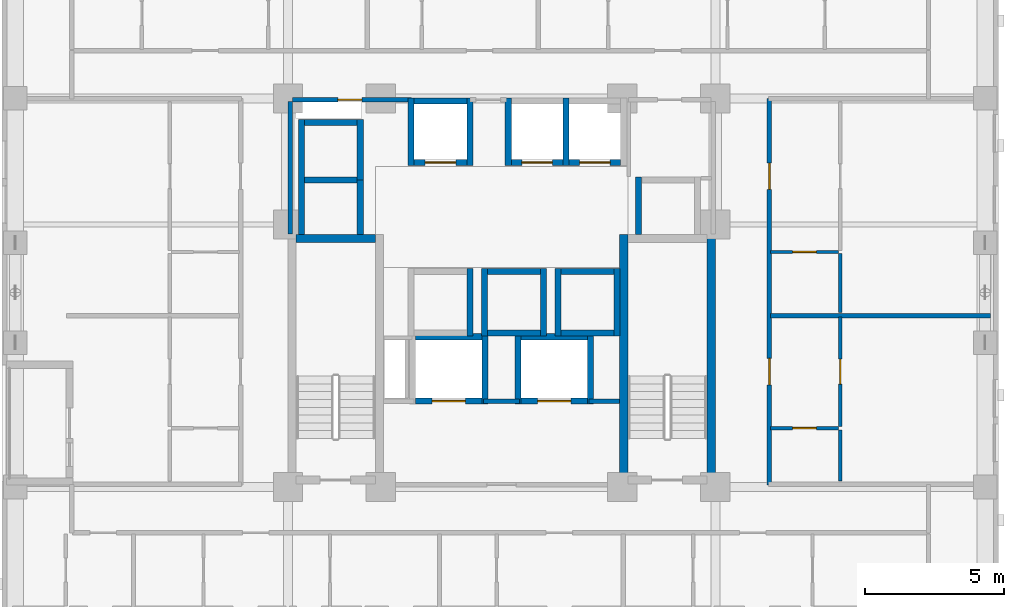
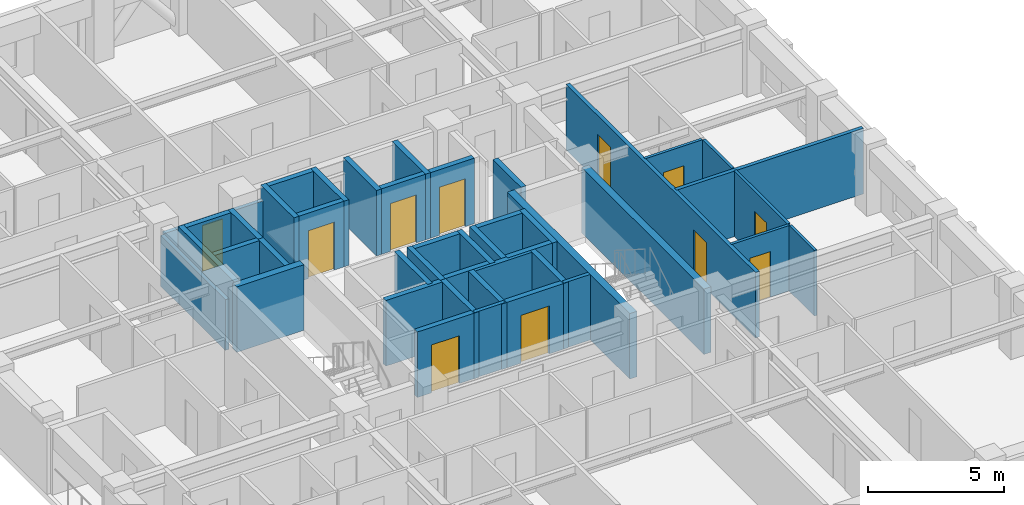
# One storey, part 5 of 12: 44 walls, 11 doors, 11 openings.
"""IFC4 building model written with IfcOpenShell, lengths in metres."""

from ifc_helpers import new_model, si_unit, derived_unit, direction, frame, frame_2d, origin, place, context, subcontext, project, spatial, rectangle, extrude, material, layer, layer_set, type_object, element, fill, save


model = new_model("IFC4")

# Units and contexts
model_context = context("Model", 3, precision=1e-05, world=origin(), true_north=direction((0.0, 1.0)))
body_context = subcontext(model_context, "Body", "Model", "MODEL_VIEW")
ifc_project = project(units=[si_unit("LENGTHUNIT", "METRE"), si_unit("AREAUNIT", "SQUARE_METRE"), si_unit("VOLUMEUNIT", "CUBIC_METRE"), si_unit("PLANEANGLEUNIT", "RADIAN"), si_unit("MASSUNIT", "GRAM", prefix="KILO"), derived_unit("THERMALTRANSMITTANCEUNIT", [(si_unit("MASSUNIT", "GRAM", prefix="KILO"), 1), (si_unit("TIMEUNIT", "SECOND"), -3), (si_unit("THERMODYNAMICTEMPERATUREUNIT", "KELVIN"), -1)])], contexts=[model_context])

# Site, building, storey
site_placement = place(None, origin())
site = spatial("IfcSite", under=ifc_project, at=site_placement, CompositionType="ELEMENT")
building_placement = place(site_placement, origin())
building = spatial("IfcBuilding", under=site, at=building_placement, Name="Korrvale Station Residences", CompositionType="ELEMENT")
storey_placement = place(building_placement, frame((0.0, 0.0, 87.89990234375)))
storey = spatial("IfcBuildingStorey", under=building, at=storey_placement, Name="L24", CompositionType="ELEMENT", Elevation=87.89990234375)

# Walls
ifc_material_1 = material(Name="Concrete C60/75", Category="concrete")
ifc_layer_1 = layer(ifc_material_1, 0.300048828125, Name="Concrete C60/75")
ifc_layer_set_1 = layer_set([ifc_layer_1], Name="Concrete C60/75")
wall_type_1 = type_object("IfcWallType", Name="WAL-CORE-300-C60", PredefinedType="SHEAR", material=ifc_layer_set_1)
wall_1_placement = place(storey_placement, frame((18.10009765625, 23.949951171875, 0.0), z_axis=(0.0, 0.0, 1.0), x_axis=(1.0, 0.0, 0.0)))
element("IfcWall", 1, at=wall_1_placement, inside=storey, type_object=wall_type_1, Name="L24 ST-1 Core Shear Wall North", PredefinedType="SHEAR", context=body_context, shape_type="SweptSolid", body=[
    extrude(rectangle(XDim=2.849853515625, YDim=0.300048828125, at=frame_2d((1.4248046875, 0.0))), origin(), (0.0, 0.0, 1.0), 2.940185546875),
])
for number, where, z_axis, x_axis, name in (
    (2, (29.89990234375, 15.10009765625, 0.0), (0.0, 0.0, 1.0), (0.0, 1.0, 0.0), "L24 ST-2 Core Shear Wall West"),
    (3, (33.050048828125, 15.10009765625, 0.0), (0.0, 0.0, 1.0), (0.0, 1.0, 0.0), "L24 ST-2 Core Shear Wall East"),
):
    element("IfcWall", number, at=place(storey_placement, frame(where, z_axis=z_axis, x_axis=x_axis)), inside=storey, type_object=wall_type_1, Name=name, PredefinedType="SHEAR", context=body_context, shape_type="SweptSolid", body=[
        extrude(rectangle(XDim=9.0, YDim=0.300048828125, at=frame_2d((4.5, 0.0))), origin(), (0.0, 0.0, 1.0), 2.940185546875),
    ])

# Wall, opening, door
ifc_material_2 = material(Name="Acoustic steel-stud gypsum board partition", Category="steel")
ifc_layer_2 = layer(ifc_material_2, 0.1201171875, Name="Acoustic steel-stud gypsum board partition")
ifc_layer_set_2 = layer_set([ifc_layer_2], Name="Acoustic steel-stud gypsum board partition")
wall_type_2 = type_object("IfcWallType", Name="WAL-PART-125", PredefinedType="PARTITIONING", material=ifc_layer_set_2)
wall_2_placement = place(storey_placement, frame((35.18994140625, 17.1201171875, 0.0), z_axis=(0.0, 0.0, 1.0), x_axis=(1.0, 0.0, 0.0)))
wall_2 = element("IfcWall", 4, at=wall_2_placement, inside=storey, type_object=wall_type_2, Name="L24 Suite Partition U10-H01", PredefinedType="PARTITIONING", context=body_context, shape_type="SweptSolid", body=[
    extrude(rectangle(XDim=2.449951171875, YDim=0.1201171875, at=frame_2d((1.22509765625, 0.0))), origin(), (0.0, 0.0, 1.0), 2.940185546875),
])
opening_1_placement = place(wall_2_placement, frame((0.794921875, 0.0, 0.0)))
opening_1 = element("IfcOpeningElement", 5, at=opening_1_placement, cuts=wall_2, Name="Opening DB-860", PredefinedType="OPENING", context=body_context, shape_type="SweptSolid", body=[
    extrude(rectangle(XDim=0.860107421875, YDim=2.050048828125, at=frame_2d((0.43017578125, 1.02490234375))), frame((0.0, 0.070068359375, 0.0), z_axis=(0.0, -1.0, 0.0), x_axis=(1.0, 0.0, 0.0)), (0.0, 0.0, 1.0), 0.14013671875),
])
ifc_material_3 = material(Name="Moisture-resistant solid-core bathroom door", Category="timber")
door_type_1 = type_object("IfcDoorType", Name="DR-BATH-860", OperationType="NOTDEFINED", PredefinedType="DOOR", material=ifc_material_3)
door_1_placement = place(opening_1_placement, origin())
door_1 = element("IfcDoor", 6, at=door_1_placement, inside=storey, type_object=door_type_1, Name="L24 Apartment 1BR L24-U10 Bathroom Door", OperationType="SINGLE_SWING_LEFT", OverallHeight=2.050048828125, OverallWidth=0.860107421875, PredefinedType="DOOR", context=body_context, shape_type="SweptSolid", body=[
    extrude(rectangle(XDim=0.860107421875, YDim=2.050048828125, at=frame_2d((0.43017578125, 1.02490234375))), frame((0.0, 0.02490234375, 0.0), z_axis=(0.0, -1.0, 0.0), x_axis=(1.0, 0.0, 0.0)), (0.0, 0.0, 1.0), 0.050048828125),
])
fill(opening_1, door_1)

# Wall
wall_3_placement = place(storey_placement, frame((37.699951171875, 15.2099609375, 0.0), z_axis=(0.0, 0.0, 1.0), x_axis=(0.0, 1.0, 0.0)))
element("IfcWall", 7, at=wall_3_placement, inside=storey, type_object=wall_type_2, Name="L24 Suite Partition U10-V02", PredefinedType="PARTITIONING", context=body_context, shape_type="SweptSolid", body=[
    extrude(rectangle(XDim=1.85009765625, YDim=0.1201171875, at=frame_2d((0.925048828125, 0.0))), origin(), (0.0, 0.0, 1.0), 2.940185546875),
])

# Wall, opening, door
wall_4_placement = place(storey_placement, frame((37.699951171875, 17.179931640625, 0.0), z_axis=(0.0, 0.0, 1.0), x_axis=(0.0, 1.0, 0.0)))
wall_4 = element("IfcWall", 8, at=wall_4_placement, inside=storey, type_object=wall_type_2, Name="L24 Suite Partition U10-V12", PredefinedType="PARTITIONING", context=body_context, shape_type="SweptSolid", body=[
    extrude(rectangle(XDim=3.946044921875, YDim=0.1201171875, at=frame_2d((1.97314453125, 0.0))), origin(), (0.0, 0.0, 1.0), 2.940185546875),
])
opening_2_placement = place(wall_4_placement, frame((1.52294921875, 0.0, 0.0)))
opening_2 = element("IfcOpeningElement", 9, at=opening_2_placement, cuts=wall_4, Name="Opening DI-900", PredefinedType="OPENING", context=body_context, shape_type="SweptSolid", body=[
    extrude(rectangle(XDim=0.89990234375, YDim=2.050048828125, at=frame_2d((0.449951171875, 1.02490234375))), frame((0.0, 0.070068359375, 0.0), z_axis=(0.0, -1.0, 0.0), x_axis=(1.0, 0.0, 0.0)), (0.0, 0.0, 1.0), 0.14013671875),
])
ifc_material_4 = material(Name="Painted solid-core timber interior room door", Category="wood")
door_type_2 = type_object("IfcDoorType", Name="DR-INT-900", OperationType="NOTDEFINED", PredefinedType="DOOR", material=ifc_material_4)
door_2_placement = place(opening_2_placement, origin())
door_2 = element("IfcDoor", 10, at=door_2_placement, inside=storey, type_object=door_type_2, Name="L24 Apartment 1BR L24-U10 Kitchen Door", OperationType="SINGLE_SWING_RIGHT", OverallHeight=2.050048828125, OverallWidth=0.89990234375, PredefinedType="DOOR", context=body_context, shape_type="SweptSolid", body=[
    extrude(rectangle(XDim=0.89990234375, YDim=2.050048828125, at=frame_2d((0.449951171875, 1.02490234375))), frame((0.0, 0.02490234375, 0.0), z_axis=(0.0, -1.0, 0.0), x_axis=(1.0, 0.0, 0.0)), (0.0, 0.0, 1.0), 0.050048828125),
])
fill(opening_2, door_2)

wall_5_placement = place(storey_placement, frame((35.18994140625, 23.467041015625, 0.0), z_axis=(0.0, 0.0, 1.0), x_axis=(1.0, 0.0, 0.0)))
wall_5 = element("IfcWall", 11, at=wall_5_placement, inside=storey, type_object=wall_type_2, Name="L24 Suite Partition U11-H01", PredefinedType="PARTITIONING", context=body_context, shape_type="SweptSolid", body=[
    extrude(rectangle(XDim=2.449951171875, YDim=0.1201171875, at=frame_2d((1.22509765625, 0.0))), origin(), (0.0, 0.0, 1.0), 2.940185546875),
])
opening_3_placement = place(wall_5_placement, frame((0.794921875, 0.0, 0.0)))
opening_3 = element("IfcOpeningElement", 12, at=opening_3_placement, cuts=wall_5, Name="Opening DB-860", PredefinedType="OPENING", context=body_context, shape_type="SweptSolid", body=[
    extrude(rectangle(XDim=0.860107421875, YDim=2.050048828125, at=frame_2d((0.43017578125, 1.02490234375))), frame((0.0, 0.070068359375, 0.0), z_axis=(0.0, -1.0, 0.0), x_axis=(1.0, 0.0, 0.0)), (0.0, 0.0, 1.0), 0.14013671875),
])
door_3_placement = place(opening_3_placement, origin())
door_3 = element("IfcDoor", 13, at=door_3_placement, inside=storey, type_object=door_type_1, Name="L24 Apartment 1BR L24-U11 Bathroom Door", OperationType="SINGLE_SWING_LEFT", OverallHeight=2.050048828125, OverallWidth=0.860107421875, PredefinedType="DOOR", context=body_context, shape_type="SweptSolid", body=[
    extrude(rectangle(XDim=0.860107421875, YDim=2.050048828125, at=frame_2d((0.43017578125, 1.02490234375))), frame((0.0, 0.02490234375, 0.0), z_axis=(0.0, -1.0, 0.0), x_axis=(1.0, 0.0, 0.0)), (0.0, 0.0, 1.0), 0.050048828125),
])
fill(opening_3, door_3)

# Walls
wall_6_placement = place(storey_placement, frame((37.699951171875, 21.285888671875, 0.0), z_axis=(0.0, 0.0, 1.0), x_axis=(0.0, 1.0, 0.0)))
element("IfcWall", 14, at=wall_6_placement, inside=storey, type_object=wall_type_2, Name="L24 Suite Partition U11-V02", PredefinedType="PARTITIONING", context=body_context, shape_type="SweptSolid", body=[
    extrude(rectangle(XDim=2.12109375, YDim=0.1201171875, at=frame_2d((1.060546875, 0.0))), origin(), (0.0, 0.0, 1.0), 2.940185546875),
])
ifc_material_5 = material(Name="Fire-rated twin-stud gypsum and mineral wool shaftwall assembly", Category="gypsum")
ifc_layer_3 = layer(ifc_material_5, 0.159912109375, Name="Fire-rated twin-stud gypsum and mineral wool shaftwall assembly")
ifc_layer_set_3 = layer_set([ifc_layer_3], Name="Fire-rated twin-stud gypsum and mineral wool shaftwall assembly")
wall_type_3 = type_object("IfcWallType", Name="WAL-PART-200", PredefinedType="PARTITIONING", material=ifc_layer_set_3)
wall_7_placement = place(storey_placement, frame((24.85009765625, 18.080078125, 0.0), z_axis=(0.0, 0.0, 1.0), x_axis=(1.0, 0.0, 0.0)))
element("IfcWall", 15, at=wall_7_placement, inside=storey, type_object=wall_type_3, Name="L24 Core Partition CW-FFL-N2", PredefinedType="PARTITIONING", context=body_context, shape_type="SweptSolid", body=[
    extrude(rectangle(XDim=1.2998046875, YDim=0.159912109375, at=frame_2d((0.64990234375, 0.0))), origin(), (0.0, 0.0, 1.0), 2.940185546875),
])
wall_8_placement = place(storey_placement, frame((28.64990234375, 18.080078125, 0.0), z_axis=(0.0, 0.0, 1.0), x_axis=(1.0, 0.0, 0.0)))
element("IfcWall", 16, at=wall_8_placement, inside=storey, type_object=wall_type_3, Name="L24 Core Partition CW-FFL-N3", PredefinedType="PARTITIONING", context=body_context, shape_type="SweptSolid", body=[
    extrude(rectangle(XDim=1.10009765625, YDim=0.159912109375, at=frame_2d((0.550048828125, 0.0))), origin(), (0.0, 0.0, 1.0), 2.940185546875),
])
wall_9_placement = place(storey_placement, frame((17.8798828125, 24.1201171875, 0.0), z_axis=(0.0, 0.0, 1.0), x_axis=(0.0, 1.0, 0.0)))
element("IfcWall", 17, at=wall_9_placement, inside=storey, type_object=wall_type_3, Name="L24 Core Partition CW-W-N", PredefinedType="PARTITIONING", context=body_context, shape_type="SweptSolid", body=[
    extrude(rectangle(XDim=4.759765625, YDim=0.159912109375, at=frame_2d((2.3798828125, 0.0))), origin(), (0.0, 0.0, 1.0), 2.275146484375),
])

# Wall, opening, door
wall_10_placement = place(storey_placement, frame((17.9599609375, 28.949951171875, 0.0), z_axis=(0.0, 0.0, 1.0), x_axis=(1.0, 0.0, 0.0)))
wall_10 = element("IfcWall", 18, at=wall_10_placement, inside=storey, type_object=wall_type_3, Name="L24 Core Partition CW-NW", PredefinedType="PARTITIONING", context=body_context, shape_type="SweptSolid", body=[
    extrude(rectangle(XDim=4.2900390625, YDim=0.159912109375, at=frame_2d((2.14501953125, 0.0))), origin(), (0.0, 0.0, 1.0), 2.30908203125),
])
opening_4_placement = place(wall_10_placement, frame((1.64501953125, 0.0, 0.0)))
opening_4 = element("IfcOpeningElement", 19, at=opening_4_placement, cuts=wall_10, Name="Opening DB-860", PredefinedType="OPENING", context=body_context, shape_type="SweptSolid", body=[
    extrude(rectangle(XDim=0.860107421875, YDim=2.050048828125, at=frame_2d((0.43017578125, 1.02490234375))), frame((0.0, 0.08984375, 0.0), z_axis=(0.0, -1.0, 0.0), x_axis=(1.0, 0.0, 0.0)), (0.0, 0.0, 1.0), 0.179931640625),
])
door_4_placement = place(opening_4_placement, origin())
door_4 = element("IfcDoor", 20, at=door_4_placement, inside=storey, type_object=door_type_1, Name="L24 Electrical Riser Access Door", OperationType="SINGLE_SWING_RIGHT", OverallHeight=2.050048828125, OverallWidth=0.860107421875, PredefinedType="DOOR", context=body_context, shape_type="SweptSolid", body=[
    extrude(rectangle(XDim=0.860107421875, YDim=2.050048828125, at=frame_2d((0.43017578125, 1.02490234375))), frame((0.0, 0.02490234375, 0.0), z_axis=(0.0, -1.0, 0.0), x_axis=(1.0, 0.0, 0.0)), (0.0, 0.0, 1.0), 0.050048828125),
])
fill(opening_4, door_4)

# Wall
wall_11_placement = place(storey_placement, frame((35.18994140625, 21.166015625, 0.0), z_axis=(0.0, 0.0, 1.0), x_axis=(1.0, 0.0, 0.0)))
element("IfcWall", 21, at=wall_11_placement, inside=storey, type_object=wall_type_3, Name="L24 Demising Wall U10-N", PredefinedType="PARTITIONING", context=body_context, shape_type="SweptSolid", body=[
    extrude(rectangle(XDim=7.93017578125, YDim=0.159912109375, at=frame_2d((3.965087890625, 0.0))), origin(), (0.0, 0.0, 1.0), 2.940185546875),
])

# Wall, openings, doors
wall_12_placement = place(storey_placement, frame((35.14990234375, 15.070068359375, 0.0), z_axis=(0.0, 0.0, 1.0), x_axis=(0.0, 1.0, 0.0)))
wall_12 = element("IfcWall", 22, at=wall_12_placement, inside=storey, type_object=wall_type_3, Name="L24 Rated Corridor Wall E", PredefinedType="PARTITIONING", context=body_context, shape_type="SweptSolid", body=[
    extrude(rectangle(XDim=13.929931640625, YDim=0.159912109375, at=frame_2d((6.96484375, 0.0))), origin(), (0.0, 0.0, 1.0), 2.940185546875),
])
opening_5_placement = place(wall_12_placement, frame((3.60791015625, 0.0, 0.0)))
opening_5 = element("IfcOpeningElement", 23, at=opening_5_placement, cuts=wall_12, Name="Opening UD-950", PredefinedType="OPENING", context=body_context, shape_type="SweptSolid", body=[
    extrude(rectangle(XDim=0.949951171875, YDim=2.10009765625, at=frame_2d((0.47509765625, 1.050048828125))), frame((0.0, 0.08984375, 0.0), z_axis=(0.0, -1.0, 0.0), x_axis=(1.0, 0.0, 0.0)), (0.0, 0.0, 1.0), 0.179931640625),
])
opening_6_placement = place(wall_12_placement, frame((10.64892578125, 0.0, 0.0)))
opening_6 = element("IfcOpeningElement", 24, at=opening_6_placement, cuts=wall_12, Name="Opening UD-950", PredefinedType="OPENING", context=body_context, shape_type="SweptSolid", body=[
    extrude(rectangle(XDim=0.949951171875, YDim=2.10009765625, at=frame_2d((0.47509765625, 1.050048828125))), frame((0.0, 0.08984375, 0.0), z_axis=(0.0, -1.0, 0.0), x_axis=(1.0, 0.0, 0.0)), (0.0, 0.0, 1.0), 0.179931640625),
])
ifc_material_6 = material(Name="Solid-core acoustic oak apartment entrance door", Category="timber")
door_type_3 = type_object("IfcDoorType", Name="DR-UNIT-950", OperationType="NOTDEFINED", PredefinedType="DOOR", material=ifc_material_6)
door_5_placement = place(opening_5_placement, origin())
door_5 = element("IfcDoor", 25, at=door_5_placement, inside=storey, type_object=door_type_3, Name="L24 Apartment L24-U10 Entrance Door", OperationType="SINGLE_SWING_RIGHT", OverallHeight=2.10009765625, OverallWidth=0.949951171875, PredefinedType="DOOR", context=body_context, shape_type="SweptSolid", body=[
    extrude(rectangle(XDim=0.949951171875, YDim=2.10009765625, at=frame_2d((0.47509765625, 1.050048828125))), frame((0.0, 0.02490234375, 0.0), z_axis=(0.0, -1.0, 0.0), x_axis=(1.0, 0.0, 0.0)), (0.0, 0.0, 1.0), 0.050048828125),
])
fill(opening_5, door_5)
door_6_placement = place(opening_6_placement, origin())
door_6 = element("IfcDoor", 26, at=door_6_placement, inside=storey, type_object=door_type_3, Name="L24 Apartment L24-U11 Entrance Door", OperationType="SINGLE_SWING_LEFT", OverallHeight=2.10009765625, OverallWidth=0.949951171875, PredefinedType="DOOR", context=body_context, shape_type="SweptSolid", body=[
    extrude(rectangle(XDim=0.949951171875, YDim=2.10009765625, at=frame_2d((0.47509765625, 1.050048828125))), frame((0.0, 0.02490234375, 0.0), z_axis=(0.0, -1.0, 0.0), x_axis=(1.0, 0.0, 0.0)), (0.0, 0.0, 1.0), 0.050048828125),
])
fill(opening_6, door_6)

# Wall, opening, door
ifc_layer_4 = layer(ifc_material_1, 0.219970703125, Name="Concrete C60/75")
ifc_layer_set_4 = layer_set([ifc_layer_4], Name="Concrete C60/75")
wall_type_4 = type_object("IfcWallType", Name="WAL-SHAFT-220-C60", PredefinedType="SHEAR", material=ifc_layer_set_4)
wall_13_placement = place(storey_placement, frame((22.35009765625, 26.68994140625, 0.0), z_axis=(0.0, 0.0, 1.0), x_axis=(1.0, 0.0, 0.0)))
wall_13 = element("IfcWall", 27, at=wall_13_placement, inside=storey, type_object=wall_type_4, Name="L24 Elevator PL-1 Hoistway Wall South", PredefinedType="SHEAR", context=body_context, shape_type="SweptSolid", body=[
    extrude(rectangle(XDim=1.89990234375, YDim=0.219970703125, at=frame_2d((0.949951171875, 0.0))), origin(), (0.0, 0.0, 1.0), 2.940185546875),
])
opening_7_placement = place(wall_13_placement, frame((0.39990234375, 0.0, 0.0)))
opening_7 = element("IfcOpeningElement", 28, at=opening_7_placement, cuts=wall_13, Name="Opening LD-1100", PredefinedType="OPENING", context=body_context, shape_type="SweptSolid", body=[
    extrude(rectangle(XDim=1.10009765625, YDim=2.14990234375, at=frame_2d((0.550048828125, 1.074951171875))), frame((0.0, 0.1201171875, 0.0), z_axis=(0.0, -1.0, 0.0), x_axis=(1.0, 0.0, 0.0)), (0.0, 0.0, 1.0), 0.239990234375),
])
ifc_material_7 = material(Name="Brushed stainless-steel elevator landing sliding door", Category="steel")
door_type_4 = type_object("IfcDoorType", Name="DR-LIFT-1100", OperationType="SLIDING_TO_LEFT", PredefinedType="DOOR", material=ifc_material_7)
door_7_placement = place(opening_7_placement, origin())
door_7 = element("IfcDoor", 29, at=door_7_placement, inside=storey, type_object=door_type_4, Name="L24 Elevator PL-1 Sliding Landing Door", OperationType="SLIDING_TO_LEFT", OverallHeight=2.14990234375, OverallWidth=1.10009765625, PredefinedType="DOOR", context=body_context, shape_type="SweptSolid", body=[
    extrude(rectangle(XDim=1.10009765625, YDim=2.14990234375, at=frame_2d((0.550048828125, 1.074951171875))), frame((0.0, 0.02490234375, 0.0), z_axis=(0.0, -1.0, 0.0), x_axis=(1.0, 0.0, 0.0)), (0.0, 0.0, 1.0), 0.050048828125),
])
fill(opening_7, door_7)

# Walls
wall_14_placement = place(storey_placement, frame((22.35009765625, 28.909912109375, 0.0), z_axis=(0.0, 0.0, 1.0), x_axis=(1.0, 0.0, 0.0)))
element("IfcWall", 30, at=wall_14_placement, inside=storey, type_object=wall_type_4, Name="L24 Elevator PL-1 Hoistway Wall North", PredefinedType="SHEAR", context=body_context, shape_type="SweptSolid", body=[
    extrude(rectangle(XDim=1.89990234375, YDim=0.219970703125, at=frame_2d((0.949951171875, 0.0))), origin(), (0.0, 0.0, 1.0), 2.940185546875),
])
for number, where, z_axis, x_axis, name in (
    (31, (22.239990234375, 26.580078125, 0.0), (0.0, 0.0, 1.0), (0.0, 1.0, 0.0), "L24 Elevator PL-1 Hoistway Wall West"),
    (32, (24.360107421875, 26.580078125, 0.0), (0.0, 0.0, 1.0), (0.0, 1.0, 0.0), "L24 Elevator PL-1 Hoistway Wall East"),
):
    element("IfcWall", number, at=place(storey_placement, frame(where, z_axis=z_axis, x_axis=x_axis)), inside=storey, type_object=wall_type_4, Name=name, PredefinedType="SHEAR", context=body_context, shape_type="SweptSolid", body=[
        extrude(rectangle(XDim=2.43994140625, YDim=0.219970703125, at=frame_2d((1.219970703125, 0.0))), origin(), (0.0, 0.0, 1.0), 2.940185546875),
    ])

# Wall, opening, door
wall_15_placement = place(storey_placement, frame((25.85009765625, 26.68994140625, 0.0), z_axis=(0.0, 0.0, 1.0), x_axis=(1.0, 0.0, 0.0)))
wall_15 = element("IfcWall", 33, at=wall_15_placement, inside=storey, type_object=wall_type_4, Name="L24 Elevator PL-2 Hoistway Wall South", PredefinedType="SHEAR", context=body_context, shape_type="SweptSolid", body=[
    extrude(rectangle(XDim=1.85986328125, YDim=0.219970703125, at=frame_2d((0.929931640625, 0.0))), origin(), (0.0, 0.0, 1.0), 2.940185546875),
])
opening_8_placement = place(wall_15_placement, frame((0.3798828125, 0.0, 0.0)))
opening_8 = element("IfcOpeningElement", 34, at=opening_8_placement, cuts=wall_15, Name="Opening LD-1100", PredefinedType="OPENING", context=body_context, shape_type="SweptSolid", body=[
    extrude(rectangle(XDim=1.10009765625, YDim=2.14990234375, at=frame_2d((0.550048828125, 1.074951171875))), frame((0.0, 0.1201171875, 0.0), z_axis=(0.0, -1.0, 0.0), x_axis=(1.0, 0.0, 0.0)), (0.0, 0.0, 1.0), 0.239990234375),
])
door_8_placement = place(opening_8_placement, origin())
door_8 = element("IfcDoor", 35, at=door_8_placement, inside=storey, type_object=door_type_4, Name="L24 Elevator PL-2 Sliding Landing Door", OperationType="SLIDING_TO_LEFT", OverallHeight=2.14990234375, OverallWidth=1.10009765625, PredefinedType="DOOR", context=body_context, shape_type="SweptSolid", body=[
    extrude(rectangle(XDim=1.10009765625, YDim=2.14990234375, at=frame_2d((0.550048828125, 1.074951171875))), frame((0.0, 0.02490234375, 0.0), z_axis=(0.0, -1.0, 0.0), x_axis=(1.0, 0.0, 0.0)), (0.0, 0.0, 1.0), 0.050048828125),
])
fill(opening_8, door_8)

# Walls
for number, where, z_axis, x_axis, name in (
    (36, (25.739990234375, 26.580078125, 0.0), (0.0, 0.0, 1.0), (0.0, 1.0, 0.0), "L24 Elevator PL-2 Hoistway Wall West"),
    (37, (27.820068359375, 26.580078125, 0.0), (0.0, 0.0, 1.0), (0.0, 1.0, 0.0), "L24 Elevator PL-2 Hoistway Wall East"),
):
    element("IfcWall", number, at=place(storey_placement, frame(where, z_axis=z_axis, x_axis=x_axis)), inside=storey, type_object=wall_type_4, Name=name, PredefinedType="SHEAR", context=body_context, shape_type="SweptSolid", body=[
        extrude(rectangle(XDim=2.43994140625, YDim=0.219970703125, at=frame_2d((1.219970703125, 0.0))), origin(), (0.0, 0.0, 1.0), 2.940185546875),
    ])

# Wall, opening, door
wall_16_placement = place(storey_placement, frame((27.929931640625, 26.68994140625, 0.0), z_axis=(0.0, 0.0, 1.0), x_axis=(1.0, 0.0, 0.0)))
wall_16 = element("IfcWall", 38, at=wall_16_placement, inside=storey, type_object=wall_type_4, Name="L24 Elevator PL-3 Hoistway Wall South", PredefinedType="SHEAR", context=body_context, shape_type="SweptSolid", body=[
    extrude(rectangle(XDim=1.860107421875, YDim=0.219970703125, at=frame_2d((0.93017578125, 0.0))), origin(), (0.0, 0.0, 1.0), 2.940185546875),
])
opening_9_placement = place(wall_16_placement, frame((0.3798828125, 0.0, 0.0)))
opening_9 = element("IfcOpeningElement", 39, at=opening_9_placement, cuts=wall_16, Name="Opening LD-1100", PredefinedType="OPENING", context=body_context, shape_type="SweptSolid", body=[
    extrude(rectangle(XDim=1.10009765625, YDim=2.14990234375, at=frame_2d((0.550048828125, 1.074951171875))), frame((0.0, 0.1201171875, 0.0), z_axis=(0.0, -1.0, 0.0), x_axis=(1.0, 0.0, 0.0)), (0.0, 0.0, 1.0), 0.239990234375),
])
door_9_placement = place(opening_9_placement, origin())
door_9 = element("IfcDoor", 40, at=door_9_placement, inside=storey, type_object=door_type_4, Name="L24 Elevator PL-3 Sliding Landing Door", OperationType="SLIDING_TO_LEFT", OverallHeight=2.14990234375, OverallWidth=1.10009765625, PredefinedType="DOOR", context=body_context, shape_type="SweptSolid", body=[
    extrude(rectangle(XDim=1.10009765625, YDim=2.14990234375, at=frame_2d((0.550048828125, 1.074951171875))), frame((0.0, 0.02490234375, 0.0), z_axis=(0.0, -1.0, 0.0), x_axis=(1.0, 0.0, 0.0)), (0.0, 0.0, 1.0), 0.050048828125),
])
fill(opening_9, door_9)

# Walls
wall_17_placement = place(storey_placement, frame((24.360107421875, 20.429931640625, 0.0), z_axis=(0.0, 0.0, 1.0), x_axis=(0.0, 1.0, 0.0)))
element("IfcWall", 41, at=wall_17_placement, inside=storey, type_object=wall_type_4, Name="L24 Elevator PM-1 Hoistway Wall East", PredefinedType="SHEAR", context=body_context, shape_type="SweptSolid", body=[
    extrude(rectangle(XDim=2.440185546875, YDim=0.219970703125, at=frame_2d((1.22021484375, 0.0))), origin(), (0.0, 0.0, 1.0), 2.940185546875),
])
for number, where, z_axis, x_axis, name in (
    (42, (25.0, 20.5400390625, 0.0), (0.0, 0.0, 1.0), (1.0, 0.0, 0.0), "L24 Elevator PM-2 Hoistway Wall South"),
    (43, (25.0, 22.760009765625, 0.0), (0.0, 0.0, 1.0), (1.0, 0.0, 0.0), "L24 Elevator PM-2 Hoistway Wall North"),
):
    element("IfcWall", number, at=place(storey_placement, frame(where, z_axis=z_axis, x_axis=x_axis)), inside=storey, type_object=wall_type_4, Name=name, PredefinedType="SHEAR", context=body_context, shape_type="SweptSolid", body=[
        extrude(rectangle(XDim=1.89990234375, YDim=0.219970703125, at=frame_2d((0.949951171875, 0.0))), origin(), (0.0, 0.0, 1.0), 2.940185546875),
    ])
for number, where, z_axis, x_axis, name in (
    (44, (24.889892578125, 20.429931640625, 0.0), (0.0, 0.0, 1.0), (0.0, 1.0, 0.0), "L24 Elevator PM-2 Hoistway Wall West"),
    (45, (27.010009765625, 20.429931640625, 0.0), (0.0, 0.0, 1.0), (0.0, 1.0, 0.0), "L24 Elevator PM-2 Hoistway Wall East"),
):
    element("IfcWall", number, at=place(storey_placement, frame(where, z_axis=z_axis, x_axis=x_axis)), inside=storey, type_object=wall_type_4, Name=name, PredefinedType="SHEAR", context=body_context, shape_type="SweptSolid", body=[
        extrude(rectangle(XDim=2.440185546875, YDim=0.219970703125, at=frame_2d((1.22021484375, 0.0))), origin(), (0.0, 0.0, 1.0), 2.940185546875),
    ])
for number, where, z_axis, x_axis, name in (
    (46, (27.64990234375, 20.5400390625, 0.0), (0.0, 0.0, 1.0), (1.0, 0.0, 0.0), "L24 Elevator PM-3 Hoistway Wall South"),
    (47, (27.64990234375, 22.760009765625, 0.0), (0.0, 0.0, 1.0), (1.0, 0.0, 0.0), "L24 Elevator PM-3 Hoistway Wall North"),
):
    element("IfcWall", number, at=place(storey_placement, frame(where, z_axis=z_axis, x_axis=x_axis)), inside=storey, type_object=wall_type_4, Name=name, PredefinedType="SHEAR", context=body_context, shape_type="SweptSolid", body=[
        extrude(rectangle(XDim=1.900146484375, YDim=0.219970703125, at=frame_2d((0.9501953125, 0.0))), origin(), (0.0, 0.0, 1.0), 2.940185546875),
    ])
for number, where, z_axis, x_axis, name in (
    (48, (27.5400390625, 20.429931640625, 0.0), (0.0, 0.0, 1.0), (0.0, 1.0, 0.0), "L24 Elevator PM-3 Hoistway Wall West"),
    (49, (29.659912109375, 20.429931640625, 0.0), (0.0, 0.0, 1.0), (0.0, 1.0, 0.0), "L24 Elevator PM-3 Hoistway Wall East"),
):
    element("IfcWall", number, at=place(storey_placement, frame(where, z_axis=z_axis, x_axis=x_axis)), inside=storey, type_object=wall_type_4, Name=name, PredefinedType="SHEAR", context=body_context, shape_type="SweptSolid", body=[
        extrude(rectangle(XDim=2.440185546875, YDim=0.219970703125, at=frame_2d((1.22021484375, 0.0))), origin(), (0.0, 0.0, 1.0), 2.940185546875),
    ])
wall_18_placement = place(storey_placement, frame((18.2900390625, 24.10009765625, 0.0), z_axis=(0.0, 0.0, 1.0), x_axis=(0.0, 1.0, 0.0)))
element("IfcWall", 50, at=wall_18_placement, inside=storey, type_object=wall_type_4, Name="L24 Elevator PH-1 Hoistway Wall West", PredefinedType="SHEAR", context=body_context, shape_type="SweptSolid", body=[
    extrude(rectangle(XDim=4.139892578125, YDim=0.219970703125, at=frame_2d((2.06982421875, 0.0))), origin(), (0.0, 0.0, 1.0), 2.940185546875),
])
wall_19_placement = place(storey_placement, frame((20.409912109375, 24.10009765625, 0.0), z_axis=(0.0, 0.0, 1.0), x_axis=(0.0, 1.0, 0.0)))
element("IfcWall", 51, at=wall_19_placement, inside=storey, type_object=wall_type_4, Name="L24 Elevator PH-1 Hoistway Wall East", PredefinedType="SHEAR", context=body_context, shape_type="SweptSolid", body=[
    extrude(rectangle(XDim=1.9599609375, YDim=0.219970703125, at=frame_2d((0.97998046875, 0.0))), origin(), (0.0, 0.0, 1.0), 2.940185546875),
])
for number, where, z_axis, x_axis, name in (
    (52, (18.39990234375, 26.06005859375, 0.0), (0.0, 0.0, 1.0), (1.0, 0.0, 0.0), "L24 Elevator PH-2 Hoistway Wall South"),
    (53, (18.39990234375, 28.1298828125, 0.0), (0.0, 0.0, 1.0), (1.0, 0.0, 0.0), "L24 Elevator PH-2 Hoistway Wall North"),
):
    element("IfcWall", number, at=place(storey_placement, frame(where, z_axis=z_axis, x_axis=x_axis)), inside=storey, type_object=wall_type_4, Name=name, PredefinedType="SHEAR", context=body_context, shape_type="SweptSolid", body=[
        extrude(rectangle(XDim=1.900146484375, YDim=0.219970703125, at=frame_2d((0.9501953125, 0.0))), origin(), (0.0, 0.0, 1.0), 2.940185546875),
    ])
wall_20_placement = place(storey_placement, frame((20.409912109375, 26.06005859375, 0.0), z_axis=(0.0, 0.0, 1.0), x_axis=(0.0, 1.0, 0.0)))
element("IfcWall", 54, at=wall_20_placement, inside=storey, type_object=wall_type_4, Name="L24 Elevator PH-2 Hoistway Wall East", PredefinedType="SHEAR", context=body_context, shape_type="SweptSolid", body=[
    extrude(rectangle(XDim=2.179931640625, YDim=0.219970703125, at=frame_2d((1.08984375, 0.0))), origin(), (0.0, 0.0, 1.0), 2.940185546875),
])
wall_21_placement = place(storey_placement, frame((30.43994140625, 24.10009765625, 0.0), z_axis=(0.0, 0.0, 1.0), x_axis=(0.0, 1.0, 0.0)))
element("IfcWall", 55, at=wall_21_placement, inside=storey, type_object=wall_type_4, Name="L24 Elevator PH-3 Hoistway Wall West", PredefinedType="SHEAR", context=body_context, shape_type="SweptSolid", body=[
    extrude(rectangle(XDim=2.06982421875, YDim=0.219970703125, at=frame_2d((1.034912109375, 0.0))), origin(), (0.0, 0.0, 1.0), 2.940185546875),
])

# Wall, opening, door
wall_22_placement = place(storey_placement, frame((22.39990234375, 18.090087890625, 0.0), z_axis=(0.0, 0.0, 1.0), x_axis=(1.0, 0.0, 0.0)))
wall_22 = element("IfcWall", 56, at=wall_22_placement, inside=storey, type_object=wall_type_4, Name="L24 Elevator FFL-1 Hoistway Wall South", PredefinedType="SHEAR", context=body_context, shape_type="SweptSolid", body=[
    extrude(rectangle(XDim=2.400146484375, YDim=0.219970703125, at=frame_2d((1.2001953125, 0.0))), origin(), (0.0, 0.0, 1.0), 2.940185546875),
])
opening_10_placement = place(wall_22_placement, frame((0.60009765625, 0.0, 0.0)))
opening_10 = element("IfcOpeningElement", 57, at=opening_10_placement, cuts=wall_22, Name="Opening LD-FF1200", PredefinedType="OPENING", context=body_context, shape_type="SweptSolid", body=[
    extrude(rectangle(XDim=1.199951171875, YDim=2.14990234375, at=frame_2d((0.60009765625, 1.074951171875))), frame((0.0, 0.1201171875, 0.0), z_axis=(0.0, -1.0, 0.0), x_axis=(1.0, 0.0, 0.0)), (0.0, 0.0, 1.0), 0.239990234375),
])
ifc_material_8 = material(Name="Stainless-steel firefighter elevator landing sliding door", Category="steel")
door_type_5 = type_object("IfcDoorType", Name="DR-LIFT-FF1200", OperationType="SLIDING_TO_LEFT", PredefinedType="DOOR", material=ifc_material_8)
door_10_placement = place(opening_10_placement, origin())
door_10 = element("IfcDoor", 58, at=door_10_placement, inside=storey, type_object=door_type_5, Name="L24 Elevator FFL-1 Sliding Landing Door", OperationType="SLIDING_TO_LEFT", OverallHeight=2.14990234375, OverallWidth=1.199951171875, PredefinedType="DOOR", context=body_context, shape_type="SweptSolid", body=[
    extrude(rectangle(XDim=1.199951171875, YDim=2.14990234375, at=frame_2d((0.60009765625, 1.074951171875))), frame((0.0, 0.02490234375, 0.0), z_axis=(0.0, -1.0, 0.0), x_axis=(1.0, 0.0, 0.0)), (0.0, 0.0, 1.0), 0.050048828125),
])
fill(opening_10, door_10)

# Walls
wall_23_placement = place(storey_placement, frame((22.39990234375, 20.409912109375, 0.0), z_axis=(0.0, 0.0, 1.0), x_axis=(1.0, 0.0, 0.0)))
element("IfcWall", 59, at=wall_23_placement, inside=storey, type_object=wall_type_4, Name="L24 Elevator FFL-1 Hoistway Wall North", PredefinedType="SHEAR", context=body_context, shape_type="SweptSolid", body=[
    extrude(rectangle(XDim=2.400146484375, YDim=0.219970703125, at=frame_2d((1.2001953125, 0.0))), origin(), (0.0, 0.0, 1.0), 2.940185546875),
])
wall_24_placement = place(storey_placement, frame((24.909912109375, 17.97998046875, 0.0), z_axis=(0.0, 0.0, 1.0), x_axis=(0.0, 1.0, 0.0)))
element("IfcWall", 60, at=wall_24_placement, inside=storey, type_object=wall_type_4, Name="L24 Elevator FFL-1 Hoistway Wall East", PredefinedType="SHEAR", context=body_context, shape_type="SweptSolid", body=[
    extrude(rectangle(XDim=2.5400390625, YDim=0.219970703125, at=frame_2d((1.27001953125, 0.0))), origin(), (0.0, 0.0, 1.0), 2.940185546875),
])

# Wall, opening, door
wall_25_placement = place(storey_placement, frame((26.199951171875, 18.090087890625, 0.0), z_axis=(0.0, 0.0, 1.0), x_axis=(1.0, 0.0, 0.0)))
wall_25 = element("IfcWall", 61, at=wall_25_placement, inside=storey, type_object=wall_type_4, Name="L24 Elevator FFL-2 Hoistway Wall South", PredefinedType="SHEAR", context=body_context, shape_type="SweptSolid", body=[
    extrude(rectangle(XDim=2.400146484375, YDim=0.219970703125, at=frame_2d((1.2001953125, 0.0))), origin(), (0.0, 0.0, 1.0), 2.940185546875),
])
opening_11_placement = place(wall_25_placement, frame((0.60009765625, 0.0, 0.0)))
opening_11 = element("IfcOpeningElement", 62, at=opening_11_placement, cuts=wall_25, Name="Opening LD-FF1200", PredefinedType="OPENING", context=body_context, shape_type="SweptSolid", body=[
    extrude(rectangle(XDim=1.199951171875, YDim=2.14990234375, at=frame_2d((0.60009765625, 1.074951171875))), frame((0.0, 0.1201171875, 0.0), z_axis=(0.0, -1.0, 0.0), x_axis=(1.0, 0.0, 0.0)), (0.0, 0.0, 1.0), 0.239990234375),
])
door_11_placement = place(opening_11_placement, origin())
door_11 = element("IfcDoor", 63, at=door_11_placement, inside=storey, type_object=door_type_5, Name="L24 Elevator FFL-2 Sliding Landing Door", OperationType="SLIDING_TO_LEFT", OverallHeight=2.14990234375, OverallWidth=1.199951171875, PredefinedType="DOOR", context=body_context, shape_type="SweptSolid", body=[
    extrude(rectangle(XDim=1.199951171875, YDim=2.14990234375, at=frame_2d((0.60009765625, 1.074951171875))), frame((0.0, 0.02490234375, 0.0), z_axis=(0.0, -1.0, 0.0), x_axis=(1.0, 0.0, 0.0)), (0.0, 0.0, 1.0), 0.050048828125),
])
fill(opening_11, door_11)

# Walls
wall_26_placement = place(storey_placement, frame((26.199951171875, 20.409912109375, 0.0), z_axis=(0.0, 0.0, 1.0), x_axis=(1.0, 0.0, 0.0)))
element("IfcWall", 64, at=wall_26_placement, inside=storey, type_object=wall_type_4, Name="L24 Elevator FFL-2 Hoistway Wall North", PredefinedType="SHEAR", context=body_context, shape_type="SweptSolid", body=[
    extrude(rectangle(XDim=2.400146484375, YDim=0.219970703125, at=frame_2d((1.2001953125, 0.0))), origin(), (0.0, 0.0, 1.0), 2.940185546875),
])
for number, where, z_axis, x_axis, name in (
    (65, (26.090087890625, 17.97998046875, 0.0), (0.0, 0.0, 1.0), (0.0, 1.0, 0.0), "L24 Elevator FFL-2 Hoistway Wall West"),
    (66, (28.7099609375, 17.97998046875, 0.0), (0.0, 0.0, 1.0), (0.0, 1.0, 0.0), "L24 Elevator FFL-2 Hoistway Wall East"),
):
    element("IfcWall", number, at=place(storey_placement, frame(where, z_axis=z_axis, x_axis=x_axis)), inside=storey, type_object=wall_type_4, Name=name, PredefinedType="SHEAR", context=body_context, shape_type="SweptSolid", body=[
        extrude(rectangle(XDim=2.5400390625, YDim=0.219970703125, at=frame_2d((1.27001953125, 0.0))), origin(), (0.0, 0.0, 1.0), 2.940185546875),
    ])

save(model, "model.ifc")
